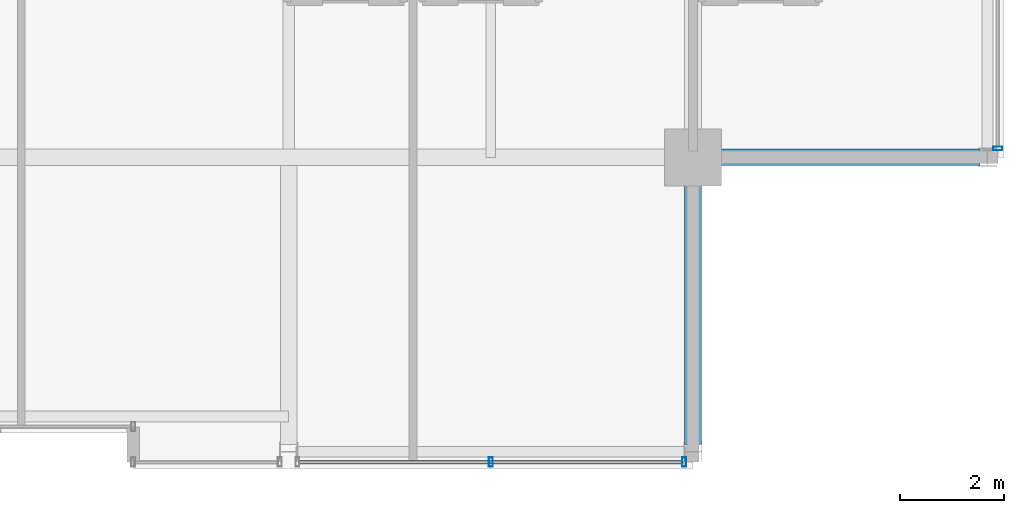
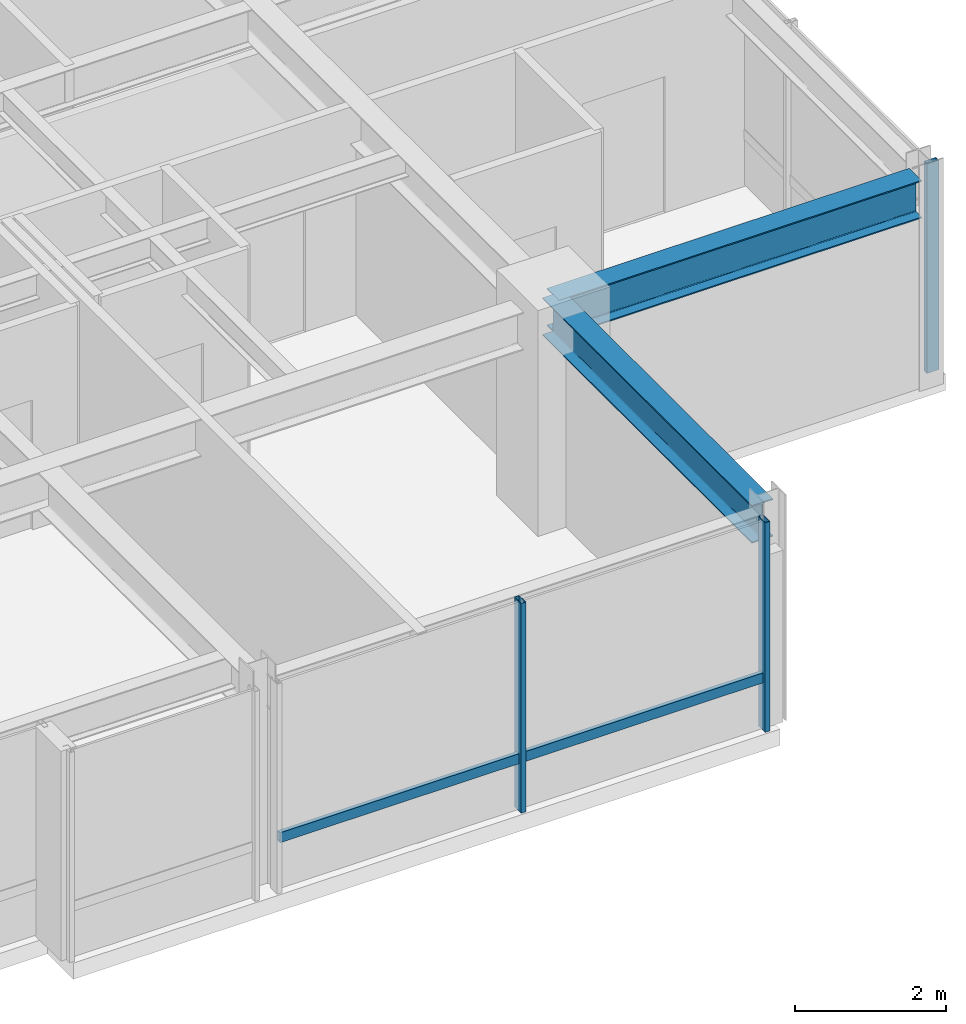
# One storey, part 16 of 34: 4 members, 2 beams, 2 elements without a shape of their own.
"""IFC4 building model written with IfcOpenShell, lengths in metres."""

import ifcopenshell
import ifcopenshell.guid

model = None  # the IFC model being written
_history = None  # IfcOwnerHistory: only IFC2X3 demands one
_inside = {}  # id of a spatial element -> (the spatial element, [elements in it])
_under = {}  # id of a project, library or spatial element -> (it, [spatial elements below it])
_declared = {}  # id of a project -> (the project, [libraries it declares])
_typed = {}  # id of a type object -> (the type object, [elements of that type])
_made_of = {}  # id of a material, layer set ... -> (it, [elements and type objects made of it])


def new_model(schema):
    """Start an empty IFC model of exactly this schema.

    Asked for "IFC4X3", IfcOpenShell would pick the latest addendum, in which some entities
    have other attributes; the version numbers below select the first issue.
    IFC2X3 requires an IfcOwnerHistory on every rooted entity: one is made here for all.
    """
    global model, _history
    if schema == "IFC4X3":
        model = ifcopenshell.file(schema_version=(4, 3, 0, 0))
    else:
        model = ifcopenshell.file(schema=schema)
    _inside.clear()
    _under.clear()
    _declared.clear()
    _typed.clear()
    _made_of.clear()
    _history = None
    if model.schema == "IFC2X3":
        org = make("IfcOrganization", Name="unknown")
        user = make(
            "IfcPersonAndOrganization",
            ThePerson=make("IfcPerson", FamilyName="unknown"),
            TheOrganization=org,
        )
        app = make(
            "IfcApplication",
            ApplicationDeveloper=org,
            Version="unknown",
            ApplicationFullName="unknown",
            ApplicationIdentifier="unknown",
        )
        _history = make(
            "IfcOwnerHistory",
            OwningUser=user,
            OwningApplication=app,
            ChangeAction="ADDED",
            CreationDate=0,
        )
    return model


def make(cls, **values):
    """One entity of the class cls with the attributes given. An attribute that is None is left unset."""
    return model.create_entity(
        cls, **{name: value for name, value in values.items() if value is not None}
    )


def rooted(cls, **values):
    """An entity with a GlobalId (a new one), such as an element, a storey or a relation."""
    return make(cls, GlobalId=ifcopenshell.guid.new(), OwnerHistory=_history, **values)


def si_unit(unit_type, name, prefix=None):
    """IfcSIUnit, for example si_unit("LENGTHUNIT", "METRE", prefix="MILLI")."""
    return make("IfcSIUnit", UnitType=unit_type, Prefix=prefix, Name=name)


def assignment(units):
    """IfcUnitAssignment: the units of a project."""
    return None if units is None else make("IfcUnitAssignment", Units=units)


def point(xyz):
    """IfcCartesianPoint."""
    return None if xyz is None else make("IfcCartesianPoint", Coordinates=xyz)


def direction(xyz):
    """IfcDirection."""
    return None if xyz is None else make("IfcDirection", DirectionRatios=xyz)


def frame(location, z_axis=None, x_axis=None):
    """IfcAxis2Placement3D, a coordinate frame: its origin and axes. An axis left out is left unset."""
    return make(
        "IfcAxis2Placement3D",
        Location=point(location),
        Axis=direction(z_axis),
        RefDirection=direction(x_axis),
    )


def frame_2d(location, x_axis=None):
    """IfcAxis2Placement2D, a coordinate frame in the plane: its origin and x axis."""
    return make(
        "IfcAxis2Placement2D", Location=point(location), RefDirection=direction(x_axis)
    )


def origin():
    """The frame at (0, 0, 0) with its axes left unset."""
    return frame((0.0, 0.0, 0.0))


def origin_2d():
    """The frame at (0, 0) in the plane with its x axis left unset."""
    return frame_2d((0.0, 0.0))


def place(relative_to, where):
    """IfcLocalPlacement: puts the frame where relative to a parent placement (None: the world)."""
    return make(
        "IfcLocalPlacement", PlacementRelTo=relative_to, RelativePlacement=where
    )


def context(
    kind, dimensions, precision=None, world=None, true_north=None, identifier=None
):
    """IfcGeometricRepresentationContext, for example the 3D "Model" context."""
    return make(
        "IfcGeometricRepresentationContext",
        ContextIdentifier=identifier,
        ContextType=kind,
        CoordinateSpaceDimension=dimensions,
        Precision=precision,
        WorldCoordinateSystem=world,
        TrueNorth=true_north,
    )


def subcontext(parent, identifier, kind, view, scale=None):
    """IfcGeometricRepresentationSubContext, for example "Body" below "Model"."""
    return make(
        "IfcGeometricRepresentationSubContext",
        ContextIdentifier=identifier,
        ContextType=kind,
        ParentContext=parent,
        TargetScale=scale,
        TargetView=view,
    )


def project(units=None, contexts=None):
    """IfcProject with its units and contexts."""
    return rooted(
        "IfcProject",
        Name="project",
        RepresentationContexts=contexts,
        UnitsInContext=assignment(units),
    )


def spatial(cls, under=None, at=None, **own):
    """A site, building, storey or space (cls), placed at a placement, below another one or the project."""
    s = rooted(cls, ObjectPlacement=at, **own)
    if under is not None:
        _under.setdefault(under.id(), (under, []))[1].append(s)
    return s


def profile(cls, at=None, kind="AREA", **sizes):
    """A parametric profile (cls). Its sizes go by their IFC names, for example OverallWidth=200.0."""
    return make(cls, ProfileType=kind, Position=at, **sizes)


def hollow_rectangle(**sizes):
    """IfcRectangleHollowProfileDef."""
    return profile("IfcRectangleHollowProfileDef", **sizes)


def i_section(**sizes):
    """IfcIShapeProfileDef."""
    return profile("IfcIShapeProfileDef", **sizes)


def extrude(swept, where, along, depth):
    """IfcExtrudedAreaSolid: the profile swept, set in the frame where, extruded along a direction by depth."""
    return make(
        "IfcExtrudedAreaSolid",
        SweptArea=swept,
        Position=where,
        ExtrudedDirection=direction(along),
        Depth=depth,
    )


def shape(context_of_items, identifier, shape_type, items):
    """IfcShapeRepresentation: the items that make up one representation, for example the "Body"."""
    return make(
        "IfcShapeRepresentation",
        ContextOfItems=context_of_items,
        RepresentationIdentifier=identifier,
        RepresentationType=shape_type,
        Items=items,
    )


def material(Name=None, Category=None):
    """IfcMaterial."""
    return make("IfcMaterial", Name=Name, Category=Category)


def layer(
    of_material, thickness, ventilated=None, Name=None, Category=None, Priority=None
):
    """IfcMaterialLayer: one layer of a wall or slab, of a material (None: an air gap)."""
    return make(
        "IfcMaterialLayer",
        Material=of_material,
        LayerThickness=thickness,
        IsVentilated=ventilated,
        Name=Name,
        Category=Category,
        Priority=Priority,
    )


def layer_set(layers, Name=None):
    """IfcMaterialLayerSet."""
    return make("IfcMaterialLayerSet", MaterialLayers=layers, LayerSetName=Name)


def material_profile(
    of_material, cross_section, Name=None, Category=None, Priority=None
):
    """IfcMaterialProfile: a cross section and its material."""
    return make(
        "IfcMaterialProfile",
        Name=Name,
        Material=of_material,
        Profile=cross_section,
        Priority=Priority,
        Category=Category,
    )


def profile_set(profiles, Name=None, composite=None):
    """IfcMaterialProfileSet."""
    return make(
        "IfcMaterialProfileSet",
        Name=Name,
        MaterialProfiles=profiles,
        CompositeProfile=composite,
    )


def made_of(thing, what):
    """Note that an element or type object is made of a material, layer set ...; save() writes the relation."""
    if what is not None:
        _made_of.setdefault(what.id(), (what, []))[1].append(thing)
    return thing


def type_object(cls, material=None, **own):
    """A type object (cls), such as IfcWallType, which elements share."""
    return made_of(rooted(cls, **own), material)


def element(
    cls,
    number,
    at=None,
    inside=None,
    cuts=None,
    type_object=None,
    material=None,
    context=None,
    identifier="Body",
    shape_type=None,
    held_by="IfcProductDefinitionShape",
    body=None,
    shapes=None,
    **own,
):
    """One element of the class cls, such as IfcWall. Its Tag is "e" and its number.

    at: its placement. inside: the storey or other place that contains it. cuts: it is an
    opening in that element (IfcRelVoidsElement). A single representation is given by context,
    identifier, shape_type and body (its items); several are given by shapes. held_by: the class
    of the entity that holds the representations. save() writes the other relations.
    """
    e = rooted(cls, Tag="e%d" % number, ObjectPlacement=at, **own)
    if body is not None:
        shapes = [shape(context, identifier, shape_type, body)]
    if shapes is not None:
        e.Representation = make(held_by, Representations=shapes)
    if inside is not None:
        _inside.setdefault(inside.id(), (inside, []))[1].append(e)
    if cuts is not None:
        rooted(
            "IfcRelVoidsElement", RelatingBuildingElement=cuts, RelatedOpeningElement=e
        )
    if type_object is not None:
        _typed.setdefault(type_object.id(), (type_object, []))[1].append(e)
    return made_of(e, material)


def aggregate(whole, parts):
    """IfcRelAggregates: a whole, such as a stair, and the parts it consists of."""
    return rooted("IfcRelAggregates", RelatingObject=whole, RelatedObjects=parts)


def save(model, path):
    """Write the relations noted so far, then the file.

    IfcRelAggregates (storeys below a building ...), IfcRelContainedInSpatialStructure (elements
    in a storey), IfcRelDefinesByType, IfcRelAssociatesMaterial and IfcRelDeclares: one each for
    every whole, place, type object, material and project.
    """
    for whole, parts in _under.values():
        aggregate(whole, parts)
    for where, things in _inside.values():
        rooted(
            "IfcRelContainedInSpatialStructure",
            RelatedElements=things,
            RelatingStructure=where,
        )
    for kind, things in _typed.values():
        rooted("IfcRelDefinesByType", RelatedObjects=things, RelatingType=kind)
    for what, things in _made_of.values():
        rooted("IfcRelAssociatesMaterial", RelatedObjects=things, RelatingMaterial=what)
    for by, libraries in _declared.values():
        rooted("IfcRelDeclares", RelatingContext=by, RelatedDefinitions=libraries)
    model.write(path)


model = new_model("IFC4")

# Units and contexts
model_context = context("Model", 3, precision=1e-05, world=origin(), true_north=direction((0.0, 1.0)))
body_context = subcontext(model_context, "Body", "Model", "MODEL_VIEW")
ifc_project = project(units=[si_unit("LENGTHUNIT", "METRE"), si_unit("AREAUNIT", "SQUARE_METRE"), si_unit("VOLUMEUNIT", "CUBIC_METRE"), si_unit("PLANEANGLEUNIT", "RADIAN"), si_unit("MASSUNIT", "GRAM", prefix="KILO")], contexts=[model_context])

# Site, building, storey
site_placement = place(None, origin())
site = spatial("IfcSite", under=ifc_project, at=site_placement, CompositionType="ELEMENT")
building_placement = place(site_placement, origin())
building = spatial("IfcBuilding", under=site, at=building_placement, Name="Drelvath Grand Hotel", CompositionType="ELEMENT")
storey_placement = place(building_placement, frame((0.0, 0.0, 272.300048828125)))
storey = spatial("IfcBuildingStorey", under=building, at=storey_placement, Name="L71", CompositionType="ELEMENT", Elevation=272.300048828125)

# Curtain wall, member
ifc_material_1 = material(Name="Platinum-Mist Anodised Aluminium Frame", Category="aluminium")
ifc_layer = layer(ifc_material_1, 0.199951171875)
ifc_layer_set = layer_set([ifc_layer], Name="Platinum-Mist Anodised Aluminium Frame")
curtain_wall_type = type_object("IfcCurtainWallType", Name="Stick Curtain Wall CW-05 Platinum Mist High-Rise", PredefinedType="NOTDEFINED", material=ifc_layer_set)
curtain_wall_1_placement = place(storey_placement, origin())
curtain_wall_1 = element("IfcCurtainWall", 1, at=curtain_wall_1_placement, inside=storey, type_object=curtain_wall_type, Name="L71 CW-05 Curtain Wall CW05-L71-SE2", PredefinedType="NOTDEFINED")
ifc_material_profile_1 = material_profile(ifc_material_1, hollow_rectangle(XDim=0.06494140625, YDim=0.159912109375, WallThickness=0.00390625, at=origin_2d()), Name="HSS160X65X4")
ifc_profile_set_1 = profile_set([ifc_material_profile_1], Name="Platinum-Mist Anodised Aluminium Frame")
member_type_1 = type_object("IfcMemberType", Name="Curtain Wall Horizontal Transom CW-05 HSS160X65X4", PredefinedType="USERDEFINED", material=ifc_profile_set_1)
member_1_placement = place(storey_placement, frame((15.989990234375, 4.919921875, 0.847412109375), z_axis=(-1.0, 0.0, 0.0), x_axis=(0.0, -1.0, 0.0)))
member_1 = element("IfcMember", 2, at=member_1_placement, type_object=member_type_1, Name="CW05-L71-SE2 Sill Transom", ObjectType="TRANSOM", PredefinedType="USERDEFINED", context=body_context, shape_type="SweptSolid", body=[
    extrude(hollow_rectangle(XDim=0.06494140625, YDim=0.159912109375, WallThickness=0.00390625, at=origin_2d()), origin(), (0.0, 0.0, 1.0), 7.3798828125),
])

curtain_wall_2_placement = place(storey_placement, origin())
curtain_wall_2 = element("IfcCurtainWall", 3, at=curtain_wall_2_placement, inside=storey, type_object=curtain_wall_type, Name="L71 CW-05 Curtain Wall CW05-L71-ES1", PredefinedType="NOTDEFINED")
ifc_material_profile_2 = material_profile(ifc_material_1, hollow_rectangle(XDim=0.074951171875, YDim=0.179931640625, WallThickness=0.0048828125, at=origin_2d()), Name="HSS180X75X5")
ifc_profile_set_2 = profile_set([ifc_material_profile_2], Name="Platinum-Mist Anodised Aluminium Frame")
member_type_2 = type_object("IfcMemberType", Name="Curtain Wall Vertical Mullion CW-05 HSS180X75X5", PredefinedType="MULLION", material=ifc_profile_set_2)
member_2_placement = place(storey_placement, frame((22.080078125, 10.97021484375, 0.0), z_axis=(0.0, 0.0, 1.0), x_axis=(0.0, 1.0, 0.0)))
member_2 = element("IfcMember", 4, at=member_2_placement, type_object=member_type_2, Name="CW05-L71-ES1 Mullion 3", PredefinedType="MULLION", context=body_context, shape_type="SweptSolid", body=[
    extrude(hollow_rectangle(XDim=0.074951171875, YDim=0.179931640625, WallThickness=0.0048828125, at=origin_2d()), origin(), (0.0, 0.0, 1.0), 3.389892578125),
])
aggregate(curtain_wall_2, [member_2])

# Member
member_3_placement = place(storey_placement, frame((16.02978515625, 4.919921875, 0.0), z_axis=(0.0, 0.0, 1.0), x_axis=(1.0, 0.0, 0.0)))
member_3 = element("IfcMember", 5, at=member_3_placement, type_object=member_type_2, Name="CW05-L71-SE2 Mullion 1", PredefinedType="MULLION", context=body_context, shape_type="SweptSolid", body=[
    extrude(hollow_rectangle(XDim=0.074951171875, YDim=0.179931640625, WallThickness=0.0048828125, at=origin_2d()), origin(), (0.0, 0.0, 1.0), 3.389892578125),
])

member_4_placement = place(storey_placement, frame((12.300048828125, 4.919921875, 0.0), z_axis=(0.0, 0.0, 1.0), x_axis=(1.0, 0.0, 0.0)))
member_4 = element("IfcMember", 6, at=member_4_placement, type_object=member_type_2, Name="CW05-L71-SE2 Mullion 2", PredefinedType="MULLION", context=body_context, shape_type="SweptSolid", body=[
    extrude(hollow_rectangle(XDim=0.074951171875, YDim=0.179931640625, WallThickness=0.0048828125, at=origin_2d()), origin(), (0.0, 0.0, 1.0), 3.389892578125),
])

aggregate(curtain_wall_1, [member_3, member_4, member_1])

# Beams
ifc_material_2 = material(Name="Steel ASTM A992 Gr 50", Category="steel")
ifc_material_profile_3 = material_profile(ifc_material_2, i_section(OverallWidth=0.323974609375, OverallDepth=0.611083984375, WebThickness=0.0126953125, FlangeThickness=0.01904296875, FilletRadius=0.02197265625, at=origin_2d()), Name="W24X104")
ifc_profile_set_3 = profile_set([ifc_material_profile_3], Name="Steel ASTM A992 Gr 50")
beam_type = type_object("IfcBeamType", Name="Primary Floor Girder W24X104", PredefinedType="BEAM", material=ifc_profile_set_3)
for number, where, z_axis, x_axis, name in (
    (7, (16.199951171875, 10.800048828125, 3.08447265625), (1.0, 0.0, 0.0), (0.0, 1.0, 0.0), "L71 East Grid Girder C"),
    (8, (16.199951171875, 5.260009765625, 3.08447265625), (0.0, 1.0, 0.0), (-1.0, 0.0, 0.0), "L71 South Grid Girder 7"),
):
    element("IfcBeam", number, at=place(storey_placement, frame(where, z_axis=z_axis, x_axis=x_axis)), inside=storey, type_object=beam_type, Name=name, PredefinedType="BEAM", context=body_context, shape_type="SweptSolid", body=[
        extrude(i_section(OverallWidth=0.323974609375, OverallDepth=0.611083984375, WebThickness=0.0126953125, FlangeThickness=0.01904296875, FilletRadius=0.02197265625, at=origin_2d()), origin(), (0.0, 0.0, 1.0), 5.5400390625),
    ])

save(model, "model.ifc")
